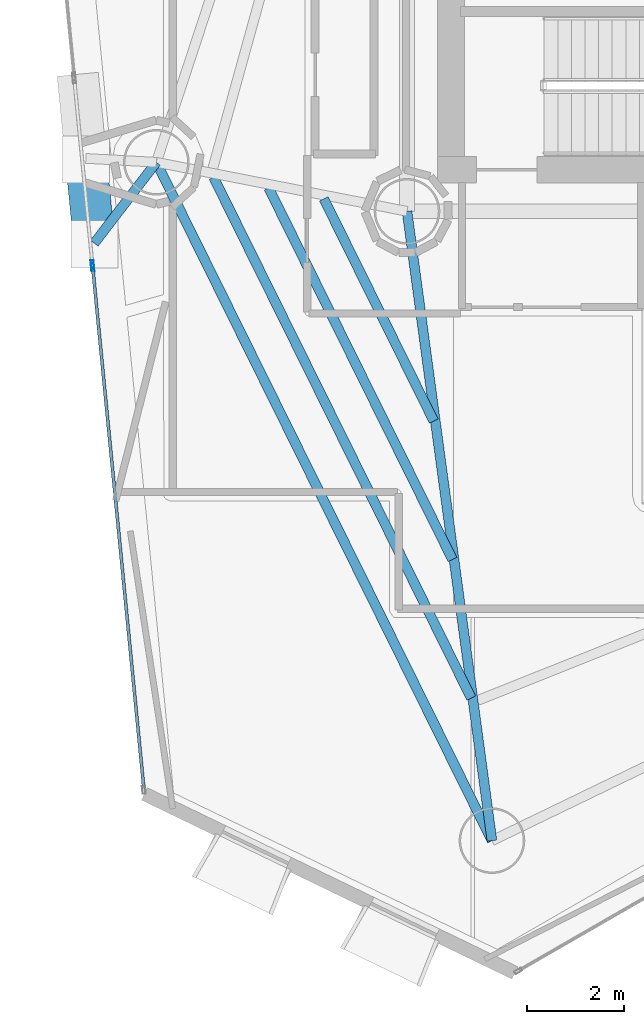
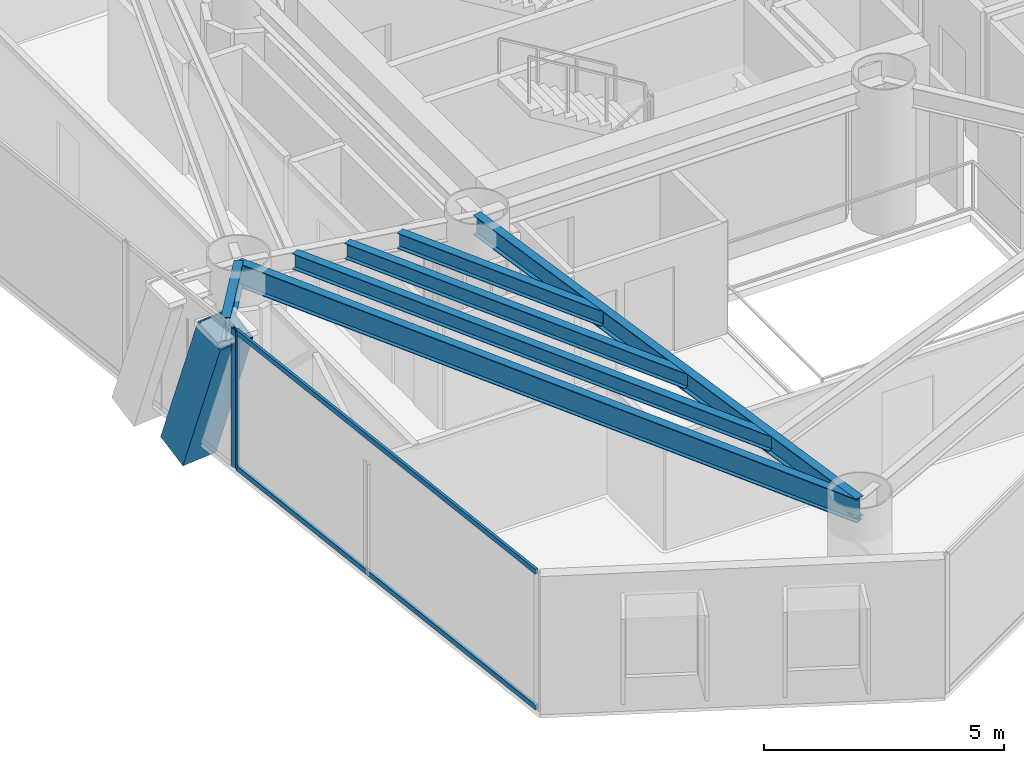
# One storey, part 3 of 22: 6 beams, 5 members, 2 elements without a shape of their own.
"""IFC4 building model written with IfcOpenShell, lengths in metres."""

import ifcopenshell
import ifcopenshell.guid

model = None  # the IFC model being written
_history = None  # IfcOwnerHistory: only IFC2X3 demands one
_inside = {}  # id of a spatial element -> (the spatial element, [elements in it])
_under = {}  # id of a project, library or spatial element -> (it, [spatial elements below it])
_declared = {}  # id of a project -> (the project, [libraries it declares])
_typed = {}  # id of a type object -> (the type object, [elements of that type])
_made_of = {}  # id of a material, layer set ... -> (it, [elements and type objects made of it])


def new_model(schema):
    """Start an empty IFC model of exactly this schema.

    Asked for "IFC4X3", IfcOpenShell would pick the latest addendum, in which some entities
    have other attributes; the version numbers below select the first issue.
    IFC2X3 requires an IfcOwnerHistory on every rooted entity: one is made here for all.
    """
    global model, _history
    if schema == "IFC4X3":
        model = ifcopenshell.file(schema_version=(4, 3, 0, 0))
    else:
        model = ifcopenshell.file(schema=schema)
    _inside.clear()
    _under.clear()
    _declared.clear()
    _typed.clear()
    _made_of.clear()
    _history = None
    if model.schema == "IFC2X3":
        org = make("IfcOrganization", Name="unknown")
        user = make(
            "IfcPersonAndOrganization",
            ThePerson=make("IfcPerson", FamilyName="unknown"),
            TheOrganization=org,
        )
        app = make(
            "IfcApplication",
            ApplicationDeveloper=org,
            Version="unknown",
            ApplicationFullName="unknown",
            ApplicationIdentifier="unknown",
        )
        _history = make(
            "IfcOwnerHistory",
            OwningUser=user,
            OwningApplication=app,
            ChangeAction="ADDED",
            CreationDate=0,
        )
    return model


def make(cls, **values):
    """One entity of the class cls with the attributes given. An attribute that is None is left unset."""
    return model.create_entity(
        cls, **{name: value for name, value in values.items() if value is not None}
    )


def rooted(cls, **values):
    """An entity with a GlobalId (a new one), such as an element, a storey or a relation."""
    return make(cls, GlobalId=ifcopenshell.guid.new(), OwnerHistory=_history, **values)


def si_unit(unit_type, name, prefix=None):
    """IfcSIUnit, for example si_unit("LENGTHUNIT", "METRE", prefix="MILLI")."""
    return make("IfcSIUnit", UnitType=unit_type, Prefix=prefix, Name=name)


def assignment(units):
    """IfcUnitAssignment: the units of a project."""
    return None if units is None else make("IfcUnitAssignment", Units=units)


def point(xyz):
    """IfcCartesianPoint."""
    return None if xyz is None else make("IfcCartesianPoint", Coordinates=xyz)


def direction(xyz):
    """IfcDirection."""
    return None if xyz is None else make("IfcDirection", DirectionRatios=xyz)


def frame(location, z_axis=None, x_axis=None):
    """IfcAxis2Placement3D, a coordinate frame: its origin and axes. An axis left out is left unset."""
    return make(
        "IfcAxis2Placement3D",
        Location=point(location),
        Axis=direction(z_axis),
        RefDirection=direction(x_axis),
    )


def frame_2d(location, x_axis=None):
    """IfcAxis2Placement2D, a coordinate frame in the plane: its origin and x axis."""
    return make(
        "IfcAxis2Placement2D", Location=point(location), RefDirection=direction(x_axis)
    )


def origin():
    """The frame at (0, 0, 0) with its axes left unset."""
    return frame((0.0, 0.0, 0.0))


def origin_2d():
    """The frame at (0, 0) in the plane with its x axis left unset."""
    return frame_2d((0.0, 0.0))


def place(relative_to, where):
    """IfcLocalPlacement: puts the frame where relative to a parent placement (None: the world)."""
    return make(
        "IfcLocalPlacement", PlacementRelTo=relative_to, RelativePlacement=where
    )


def context(
    kind, dimensions, precision=None, world=None, true_north=None, identifier=None
):
    """IfcGeometricRepresentationContext, for example the 3D "Model" context."""
    return make(
        "IfcGeometricRepresentationContext",
        ContextIdentifier=identifier,
        ContextType=kind,
        CoordinateSpaceDimension=dimensions,
        Precision=precision,
        WorldCoordinateSystem=world,
        TrueNorth=true_north,
    )


def subcontext(parent, identifier, kind, view, scale=None):
    """IfcGeometricRepresentationSubContext, for example "Body" below "Model"."""
    return make(
        "IfcGeometricRepresentationSubContext",
        ContextIdentifier=identifier,
        ContextType=kind,
        ParentContext=parent,
        TargetScale=scale,
        TargetView=view,
    )


def project(units=None, contexts=None):
    """IfcProject with its units and contexts."""
    return rooted(
        "IfcProject",
        Name="project",
        RepresentationContexts=contexts,
        UnitsInContext=assignment(units),
    )


def spatial(cls, under=None, at=None, **own):
    """A site, building, storey or space (cls), placed at a placement, below another one or the project."""
    s = rooted(cls, ObjectPlacement=at, **own)
    if under is not None:
        _under.setdefault(under.id(), (under, []))[1].append(s)
    return s


def profile(cls, at=None, kind="AREA", **sizes):
    """A parametric profile (cls). Its sizes go by their IFC names, for example OverallWidth=200.0."""
    return make(cls, ProfileType=kind, Position=at, **sizes)


def hollow_rectangle(**sizes):
    """IfcRectangleHollowProfileDef."""
    return profile("IfcRectangleHollowProfileDef", **sizes)


def i_section(**sizes):
    """IfcIShapeProfileDef."""
    return profile("IfcIShapeProfileDef", **sizes)


def extrude(swept, where, along, depth):
    """IfcExtrudedAreaSolid: the profile swept, set in the frame where, extruded along a direction by depth."""
    return make(
        "IfcExtrudedAreaSolid",
        SweptArea=swept,
        Position=where,
        ExtrudedDirection=direction(along),
        Depth=depth,
    )


def shape(context_of_items, identifier, shape_type, items):
    """IfcShapeRepresentation: the items that make up one representation, for example the "Body"."""
    return make(
        "IfcShapeRepresentation",
        ContextOfItems=context_of_items,
        RepresentationIdentifier=identifier,
        RepresentationType=shape_type,
        Items=items,
    )


def material(Name=None, Category=None):
    """IfcMaterial."""
    return make("IfcMaterial", Name=Name, Category=Category)


def layer(
    of_material, thickness, ventilated=None, Name=None, Category=None, Priority=None
):
    """IfcMaterialLayer: one layer of a wall or slab, of a material (None: an air gap)."""
    return make(
        "IfcMaterialLayer",
        Material=of_material,
        LayerThickness=thickness,
        IsVentilated=ventilated,
        Name=Name,
        Category=Category,
        Priority=Priority,
    )


def layer_set(layers, Name=None):
    """IfcMaterialLayerSet."""
    return make("IfcMaterialLayerSet", MaterialLayers=layers, LayerSetName=Name)


def material_profile(
    of_material, cross_section, Name=None, Category=None, Priority=None
):
    """IfcMaterialProfile: a cross section and its material."""
    return make(
        "IfcMaterialProfile",
        Name=Name,
        Material=of_material,
        Profile=cross_section,
        Priority=Priority,
        Category=Category,
    )


def profile_set(profiles, Name=None, composite=None):
    """IfcMaterialProfileSet."""
    return make(
        "IfcMaterialProfileSet",
        Name=Name,
        MaterialProfiles=profiles,
        CompositeProfile=composite,
    )


def made_of(thing, what):
    """Note that an element or type object is made of a material, layer set ...; save() writes the relation."""
    if what is not None:
        _made_of.setdefault(what.id(), (what, []))[1].append(thing)
    return thing


def type_object(cls, material=None, **own):
    """A type object (cls), such as IfcWallType, which elements share."""
    return made_of(rooted(cls, **own), material)


def element(
    cls,
    number,
    at=None,
    inside=None,
    cuts=None,
    type_object=None,
    material=None,
    context=None,
    identifier="Body",
    shape_type=None,
    held_by="IfcProductDefinitionShape",
    body=None,
    shapes=None,
    **own,
):
    """One element of the class cls, such as IfcWall. Its Tag is "e" and its number.

    at: its placement. inside: the storey or other place that contains it. cuts: it is an
    opening in that element (IfcRelVoidsElement). A single representation is given by context,
    identifier, shape_type and body (its items); several are given by shapes. held_by: the class
    of the entity that holds the representations. save() writes the other relations.
    """
    e = rooted(cls, Tag="e%d" % number, ObjectPlacement=at, **own)
    if body is not None:
        shapes = [shape(context, identifier, shape_type, body)]
    if shapes is not None:
        e.Representation = make(held_by, Representations=shapes)
    if inside is not None:
        _inside.setdefault(inside.id(), (inside, []))[1].append(e)
    if cuts is not None:
        rooted(
            "IfcRelVoidsElement", RelatingBuildingElement=cuts, RelatedOpeningElement=e
        )
    if type_object is not None:
        _typed.setdefault(type_object.id(), (type_object, []))[1].append(e)
    return made_of(e, material)


def aggregate(whole, parts):
    """IfcRelAggregates: a whole, such as a stair, and the parts it consists of."""
    return rooted("IfcRelAggregates", RelatingObject=whole, RelatedObjects=parts)


def save(model, path):
    """Write the relations noted so far, then the file.

    IfcRelAggregates (storeys below a building ...), IfcRelContainedInSpatialStructure (elements
    in a storey), IfcRelDefinesByType, IfcRelAssociatesMaterial and IfcRelDeclares: one each for
    every whole, place, type object, material and project.
    """
    for whole, parts in _under.values():
        aggregate(whole, parts)
    for where, things in _inside.values():
        rooted(
            "IfcRelContainedInSpatialStructure",
            RelatedElements=things,
            RelatingStructure=where,
        )
    for kind, things in _typed.values():
        rooted("IfcRelDefinesByType", RelatedObjects=things, RelatingType=kind)
    for what, things in _made_of.values():
        rooted("IfcRelAssociatesMaterial", RelatedObjects=things, RelatingMaterial=what)
    for by, libraries in _declared.values():
        rooted("IfcRelDeclares", RelatingContext=by, RelatedDefinitions=libraries)
    model.write(path)


model = new_model("IFC4")

# Units and contexts
model_context = context("Model", 3, precision=1e-05, world=origin(), true_north=direction((0.0, 1.0)))
body_context = subcontext(model_context, "Body", "Model", "MODEL_VIEW")
ifc_project = project(units=[si_unit("LENGTHUNIT", "METRE"), si_unit("AREAUNIT", "SQUARE_METRE"), si_unit("VOLUMEUNIT", "CUBIC_METRE"), si_unit("PLANEANGLEUNIT", "RADIAN"), si_unit("MASSUNIT", "GRAM", prefix="KILO")], contexts=[model_context])

# Site, building, storey
site_placement = place(None, origin())
site = spatial("IfcSite", under=ifc_project, at=site_placement, CompositionType="ELEMENT")
building_placement = place(site_placement, origin())
building = spatial("IfcBuilding", under=site, at=building_placement, Name="Qianvela Tower", CompositionType="ELEMENT")
storey_placement = place(building_placement, frame((0.0, 0.0, 169.800048828125)))
storey = spatial("IfcBuildingStorey", under=building, at=storey_placement, Name="L43", CompositionType="ELEMENT", Elevation=169.800048828125)

# Beams
ifc_material_1 = material(Name="Steel Q355B", Category="steel")
ifc_material_profile_1 = material_profile(ifc_material_1, i_section(OverallWidth=0.199951171875, OverallDepth=0.39990234375, WebThickness=0.008056640625, FlangeThickness=0.012939453125, at=origin_2d()), Name="HN400x200x8x13")
ifc_profile_set_1 = profile_set([ifc_material_profile_1], Name="Steel Q355B")
beam_type_1 = type_object("IfcBeamType", Name="BM-HN400-JOIST", PredefinedType="JOIST", material=ifc_profile_set_1)
beam_1_placement = place(storey_placement, frame((26.89013671875, 24.10693359375, 3.31787109375), z_axis=(0.443417880161, -0.896315002415, 0.0), x_axis=(0.896315002415, 0.443417880161, 0.0)))
element("IfcBeam", 1, at=beam_1_placement, inside=storey, type_object=beam_type_1, Name="L43 Secondary Composite Floor Joist 4.1", PredefinedType="JOIST", context=body_context, shape_type="SweptSolid", body=[
    extrude(i_section(OverallWidth=0.199951171875, OverallDepth=0.39990234375, WebThickness=0.008056640625, FlangeThickness=0.012939453125, at=origin_2d()), origin(), (0.0, 0.0, 1.0), 5.099609375),
])
beam_2_placement = place(storey_placement, frame((25.75634765625, 24.3291015625, 3.31787109375), z_axis=(0.443417285282, -0.896315296708, 0.0), x_axis=(0.896315296708, 0.443417285282, 0.0)))
element("IfcBeam", 2, at=beam_2_placement, inside=storey, type_object=beam_type_1, Name="L43 Secondary Composite Floor Joist 4.2", PredefinedType="JOIST", context=body_context, shape_type="SweptSolid", body=[
    extrude(i_section(OverallWidth=0.199951171875, OverallDepth=0.39990234375, WebThickness=0.008056640625, FlangeThickness=0.012939453125, at=origin_2d()), origin(), (0.0, 0.0, 1.0), 8.523681640625),
])
beam_3_placement = place(storey_placement, frame((24.622314453125, 24.551025390625, 3.31787109375), z_axis=(0.443417031377, -0.896315422318, 0.0), x_axis=(0.896315422318, 0.443417031377, 0.0)))
element("IfcBeam", 3, at=beam_3_placement, inside=storey, type_object=beam_type_1, Name="L43 Secondary Composite Floor Joist 4.3", PredefinedType="JOIST", context=body_context, shape_type="SweptSolid", body=[
    extrude(i_section(OverallWidth=0.199951171875, OverallDepth=0.39990234375, WebThickness=0.008056640625, FlangeThickness=0.012939453125, at=origin_2d()), origin(), (0.0, 0.0, 1.0), 11.94775390625),
])
ifc_material_2 = material(Name="Steel Q355B", Category="steel")
ifc_material_profile_2 = material_profile(ifc_material_2, i_section(OverallWidth=0.199951171875, OverallDepth=0.5, WebThickness=0.010009765625, FlangeThickness=0.01611328125, at=origin_2d()), Name="HN500x200x10x16")
ifc_profile_set_2 = profile_set([ifc_material_profile_2], Name="Steel Q355B")
beam_type_2 = type_object("IfcBeamType", Name="BM-HN500-GIRD", PredefinedType="BEAM", material=ifc_profile_set_2)
beam_4_placement = place(storey_placement, frame((28.60009765625, 23.85009765625, 3.26806640625), z_axis=(0.133769024854, -0.991012536747, 0.0), x_axis=(0.991012536747, 0.133769024854, 0.0)))
element("IfcBeam", 4, at=beam_4_placement, inside=storey, type_object=beam_type_2, Name="L43 Radial Primary Floor Girder 5", PredefinedType="BEAM", context=body_context, shape_type="SweptSolid", body=[
    extrude(i_section(OverallWidth=0.199951171875, OverallDepth=0.5, WebThickness=0.010009765625, FlangeThickness=0.01611328125, at=origin_2d()), origin(), (0.0, 0.0, 1.0), 13.05859375),
])
ifc_material_3 = material(Name="Steel Q355B", Category="steel")
ifc_material_profile_3 = material_profile(ifc_material_3, i_section(OverallWidth=0.199951171875, OverallDepth=0.60009765625, WebThickness=0.010986328125, FlangeThickness=0.01708984375, at=origin_2d()), Name="HN600x200x11x17")
ifc_profile_set_3 = profile_set([ifc_material_profile_3], Name="Steel Q355B")
beam_type_3 = type_object("IfcBeamType", Name="BM-HN600-GIRD", PredefinedType="BEAM", material=ifc_profile_set_3)
beam_5_placement = place(storey_placement, frame((23.446044921875, 24.85888671875, 3.218017578125), z_axis=(-0.608529246744, -0.793531446041, 0.0), x_axis=(0.793531446041, -0.608529246744, 0.0)))
element("IfcBeam", 5, at=beam_5_placement, inside=storey, type_object=beam_type_3, Name="L43 Mega-Brace Column Tie Bracket F2-2", PredefinedType="BEAM", context=body_context, shape_type="SweptSolid", body=[
    extrude(i_section(OverallWidth=0.199951171875, OverallDepth=0.60009765625, WebThickness=0.010986328125, FlangeThickness=0.01708984375, at=origin_2d()), origin(), (0.0, 0.0, 1.0), 2.09814453125),
])
beam_6_placement = place(storey_placement, frame((23.446044921875, 24.85888671875, 3.218017578125), z_axis=(0.443400805375, -0.896323449315, 0.0), x_axis=(0.896323449315, 0.443400805375, 0.0)))
element("IfcBeam", 6, at=beam_6_placement, inside=storey, type_object=beam_type_3, Name="L43 Perimeter Ring Spandrel Girder 4", PredefinedType="BEAM", context=body_context, shape_type="SweptSolid", body=[
    extrude(i_section(OverallWidth=0.199951171875, OverallDepth=0.60009765625, WebThickness=0.010986328125, FlangeThickness=0.01708984375, at=origin_2d()), origin(), (0.0, 0.0, 1.0), 15.5634765625),
])

# Curtain wall, member
ifc_material_4 = material(Name="Anodised Architectural Aluminium and Insulated Spandrel Panel", Category="aluminium")
ifc_layer_1 = layer(ifc_material_4, 0.179931640625)
ifc_layer_set_1 = layer_set([ifc_layer_1], Name="Anodised Architectural Aluminium and Insulated Spandrel Panel")
curtain_wall_type_1 = type_object("IfcCurtainWallType", Name="CW-BRACEBAY", PredefinedType="USERDEFINED", material=ifc_layer_set_1)
curtain_wall_1_placement = place(storey_placement, origin())
curtain_wall_1 = element("IfcCurtainWall", 7, at=curtain_wall_1_placement, inside=storey, type_object=curtain_wall_type_1, Name="L43 CW-BRACEBAY Curtain Wall 04B", ObjectType="CURTAIN_WALL_SYSTEM", PredefinedType="USERDEFINED")
ifc_material_5 = material(Name="Anodised Architectural Aluminium 6063-T6", Category="aluminium")
ifc_material_profile_4 = material_profile(ifc_material_5, hollow_rectangle(XDim=0.06494140625, YDim=0.159912109375, WallThickness=0.0048828125, at=origin_2d()), Name="ALU-MULL-65x160")
ifc_profile_set_4 = profile_set([ifc_material_profile_4], Name="Anodised Architectural Aluminium 6063-T6")
member_type_1 = type_object("IfcMemberType", Name="CW-BRACEBAY-MULL", PredefinedType="MULLION", material=ifc_profile_set_4)
member_1_placement = place(storey_placement, frame((22.130859375, 22.76416015625, 0.0), z_axis=(0.0, 0.0, 1.0), x_axis=(0.995227985303, 0.097576930003, 0.0)))
member_1 = element("IfcMember", 8, at=member_1_placement, type_object=member_type_1, Name="CW-9 mullion 2", PredefinedType="MULLION", context=body_context, shape_type="SweptSolid", body=[
    extrude(hollow_rectangle(XDim=0.06494140625, YDim=0.159912109375, WallThickness=0.0048828125, at=origin_2d()), origin(), (0.0, 0.0, 1.0), 3.52001953125),
])
aggregate(curtain_wall_1, [member_1])

# Curtain wall, members
ifc_material_6 = material(Name="Anodised Architectural Aluminium and Low-E Glass", Category="aluminium")
ifc_layer_2 = layer(ifc_material_6, 0.169921875)
ifc_layer_set_2 = layer_set([ifc_layer_2], Name="Anodised Architectural Aluminium and Low-E Glass")
curtain_wall_type_2 = type_object("IfcCurtainWallType", Name="CW-COLIV-Z34", PredefinedType="USERDEFINED", material=ifc_layer_set_2)
curtain_wall_2_placement = place(storey_placement, origin())
curtain_wall_2 = element("IfcCurtainWall", 9, at=curtain_wall_2_placement, inside=storey, type_object=curtain_wall_type_2, Name="L43 CW-COLIV-Z34 Curtain Wall 04C", ObjectType="CURTAIN_WALL_SYSTEM", PredefinedType="USERDEFINED")
ifc_material_7 = material(Name="Anodised Architectural Aluminium 6063-T6", Category="aluminium")
ifc_material_profile_5 = material_profile(ifc_material_7, hollow_rectangle(XDim=0.06494140625, YDim=0.159912109375, WallThickness=0.0048828125, at=origin_2d()), Name="ALU-MULL-65x160")
ifc_profile_set_5 = profile_set([ifc_material_profile_5], Name="Anodised Architectural Aluminium 6063-T6")
member_type_2 = type_object("IfcMemberType", Name="CW-COLIV-Z34-MULL", PredefinedType="MULLION", material=ifc_profile_set_5)
member_2_placement = place(storey_placement, frame((22.13720703125, 22.699462890625, 0.0), z_axis=(0.0, 0.0, 1.0), x_axis=(0.995227368279, 0.097583223084, 0.0)))
member_2 = element("IfcMember", 10, at=member_2_placement, type_object=member_type_2, Name="CW-4 mullion 1", PredefinedType="MULLION", context=body_context, shape_type="SweptSolid", body=[
    extrude(hollow_rectangle(XDim=0.06494140625, YDim=0.159912109375, WallThickness=0.0048828125, at=origin_2d()), origin(), (0.0, 0.0, 1.0), 3.52001953125),
])
ifc_material_8 = material(Name="Anodised Architectural Aluminium 6063-T6", Category="aluminium")
ifc_material_profile_6 = material_profile(ifc_material_8, hollow_rectangle(XDim=0.06494140625, YDim=0.1298828125, WallThickness=0.00439453125, at=origin_2d()), Name="ALU-TRAN-65x130")
ifc_profile_set_6 = profile_set([ifc_material_profile_6], Name="Anodised Architectural Aluminium 6063-T6")
member_type_3 = type_object("IfcMemberType", Name="CW-COLIV-Z34-TRAN", PredefinedType="USERDEFINED", material=ifc_profile_set_6)
member_3_placement = place(storey_placement, frame((22.140380859375, 22.6669921875, 0.032470703125), z_axis=(0.097578050184, -0.995227875475, 0.0), x_axis=(0.995227875475, 0.097578050184, 0.0)))
member_3 = element("IfcMember", 11, at=member_3_placement, type_object=member_type_3, Name="CW-4 transom 1.1", ObjectType="TRANSOM", PredefinedType="USERDEFINED", context=body_context, shape_type="SweptSolid", body=[
    extrude(hollow_rectangle(XDim=0.06494140625, YDim=0.1298828125, WallThickness=0.00439453125, at=origin_2d()), origin(), (0.0, 0.0, 1.0), 10.733642578125),
])
member_4_placement = place(storey_placement, frame((22.140380859375, 22.6669921875, 3.487548828125), z_axis=(0.097578050184, -0.995227875475, 0.0), x_axis=(0.995227875475, 0.097578050184, 0.0)))
member_4 = element("IfcMember", 12, at=member_4_placement, type_object=member_type_3, Name="CW-4 transom 1.2", ObjectType="TRANSOM", PredefinedType="USERDEFINED", context=body_context, shape_type="SweptSolid", body=[
    extrude(hollow_rectangle(XDim=0.06494140625, YDim=0.1298828125, WallThickness=0.00439453125, at=origin_2d()), origin(), (0.0, 0.0, 1.0), 10.733642578125),
])
aggregate(curtain_wall_2, [member_2, member_3, member_4])

# Member
ifc_material_9 = material(Name="Steel Q420GJC", Category="steel")
ifc_material_profile_7 = material_profile(ifc_material_9, hollow_rectangle(XDim=0.85009765625, YDim=0.85009765625, WallThickness=0.031982421875, at=origin_2d()), Name="MBOX-850x850x32")
ifc_profile_set_7 = profile_set([ifc_material_profile_7], Name="Steel Q420GJC")
member_type_4 = type_object("IfcMemberType", Name="MBR-MBRACE-850", PredefinedType="BRACE", material=ifc_profile_set_7)
member_5_placement = place(storey_placement, frame((22.03857421875, 24.52490234375, -0.48193359375), z_axis=(0.033199437287, -0.338323985217, 0.940443873068), x_axis=(0.995219832, 0.097660053214, 0.0)))
element("IfcMember", 13, at=member_5_placement, inside=storey, type_object=member_type_4, Name="L43 Tier 7 Exterior Mega-Brace F2B", PredefinedType="BRACE", context=body_context, shape_type="SweptSolid", body=[
    extrude(hollow_rectangle(XDim=0.85009765625, YDim=0.85009765625, WallThickness=0.031982421875, at=origin_2d()), origin(), (0.0, 0.0, 1.0), 3.934326171875),
])

save(model, "model.ifc")
